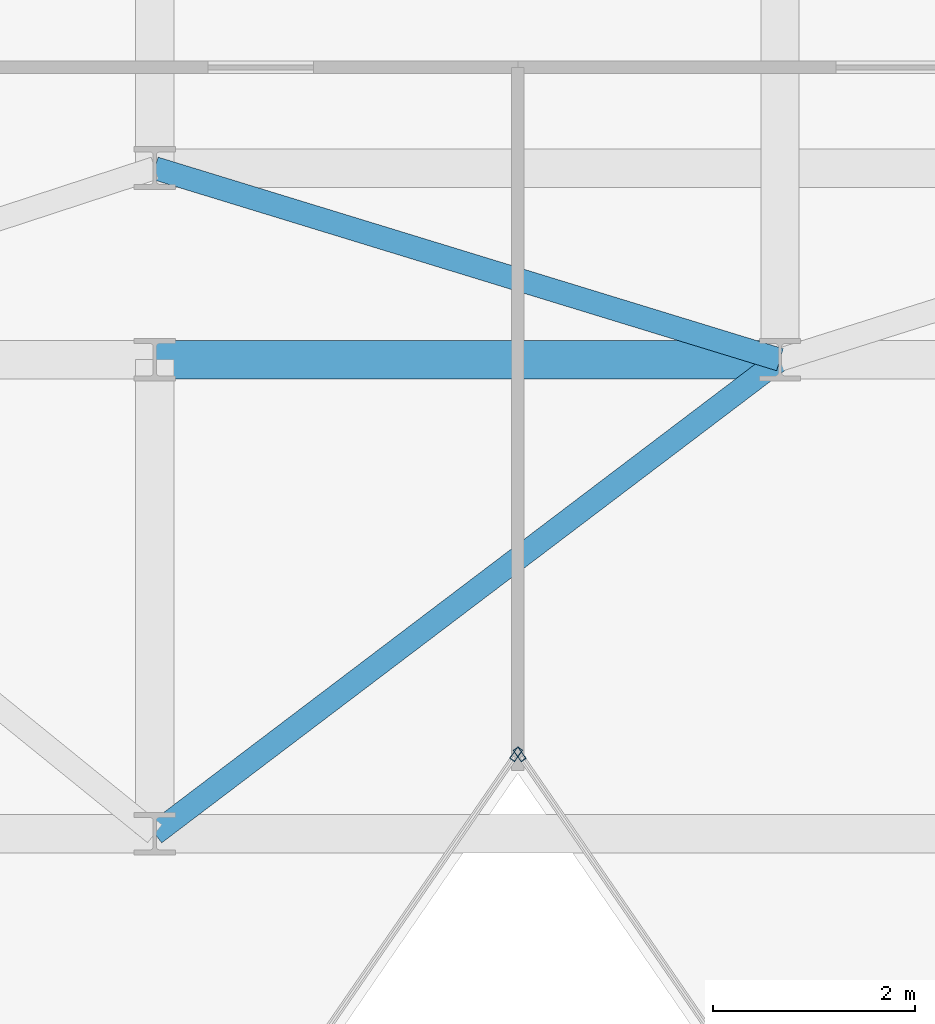
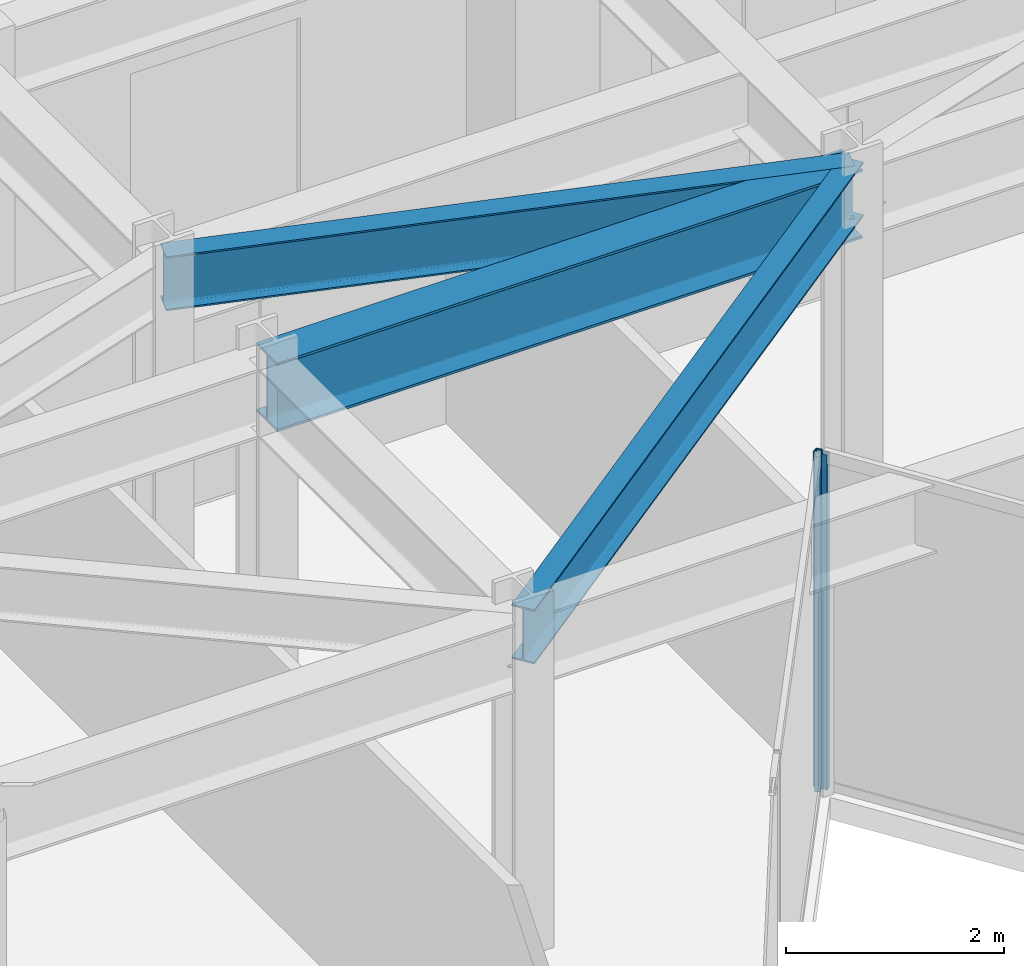
# One storey, part 8 of 21: 3 beams, 2 members, 2 elements without a shape of their own.
"""IFC4 building model written with IfcOpenShell, lengths in metres."""

from ifc_helpers import new_model, si_unit, direction, frame, origin, origin_2d, place, context, subcontext, project, spatial, hollow_rectangle, i_section, extrude, material, layer, layer_set, material_profile, profile_set, type_object, element, aggregate, save


model = new_model("IFC4")

# Units and contexts
model_context = context("Model", 3, precision=1e-05, world=origin(), true_north=direction((0.0, 1.0)))
body_context = subcontext(model_context, "Body", "Model", "MODEL_VIEW")
ifc_project = project(units=[si_unit("LENGTHUNIT", "METRE"), si_unit("AREAUNIT", "SQUARE_METRE"), si_unit("VOLUMEUNIT", "CUBIC_METRE"), si_unit("PLANEANGLEUNIT", "RADIAN"), si_unit("MASSUNIT", "GRAM", prefix="KILO")], contexts=[model_context])

# Site, building, storey
site_placement = place(None, origin())
site = spatial("IfcSite", under=ifc_project, at=site_placement, CompositionType="ELEMENT")
building_placement = place(site_placement, origin())
building = spatial("IfcBuilding", under=site, at=building_placement, Name="Kravanh Interchange Tower", CompositionType="ELEMENT")
storey_placement = place(building_placement, frame((0.0, 0.0, 192.5)))
storey = spatial("IfcBuildingStorey", under=building, at=storey_placement, Name="L46", CompositionType="ELEMENT", Elevation=192.5)

# Curtain wall, member
ifc_material_1 = material(Name="Anodised Bronze Aluminium", Category="aluminium")
ifc_layer = layer(ifc_material_1, 0.179931640625)
ifc_layer_set = layer_set([ifc_layer], Name="Unitised Curtain Wall System CW-Z3 Upper Office")
curtain_wall_type = type_object("IfcCurtainWallType", Name="Unitised Curtain Wall System CW-Z3 Upper Office", PredefinedType="NOTDEFINED", material=ifc_layer_set)
curtain_wall_1_placement = place(storey_placement, origin())
curtain_wall_1 = element("IfcCurtainWall", 1, at=curtain_wall_1_placement, inside=storey, type_object=curtain_wall_type, Name="L46 Unitised Curtain Wall CW-L46-03", PredefinedType="NOTDEFINED")
ifc_material_2 = material(Name="Anodised Bronze Aluminium", Category="aluminium")
ifc_material_profile_1 = material_profile(ifc_material_2, hollow_rectangle(XDim=0.06005859375, YDim=0.139892578125, WallThickness=0.00390625, at=origin_2d()), Name="ALU60X140X4")
ifc_profile_set_1 = profile_set([ifc_material_profile_1], Name="Anodised Bronze Aluminium")
member_type = type_object("IfcMemberType", Name="Curtain Wall Mullion ALU60X140X4 Bronze", PredefinedType="MULLION", material=ifc_profile_set_1)
member_1_placement = place(storey_placement, frame((42.217041015625, 27.587158203125, 0.0), z_axis=(0.0, 0.0, 1.0), x_axis=(-0.824042223035, -0.566528388217, 0.0)))
member_1 = element("IfcMember", 2, at=member_1_placement, type_object=member_type, Name="CW-Z3 mullion 5", PredefinedType="MULLION", context=body_context, shape_type="SweptSolid", body=[
    extrude(hollow_rectangle(XDim=0.06005859375, YDim=0.139892578125, WallThickness=0.00390625, at=origin_2d()), origin(), (0.0, 0.0, 1.0), 3.7548828125),
])
aggregate(curtain_wall_1, [member_1])

curtain_wall_2_placement = place(storey_placement, origin())
curtain_wall_2 = element("IfcCurtainWall", 3, at=curtain_wall_2_placement, inside=storey, type_object=curtain_wall_type, Name="L46 Unitised Curtain Wall CW-L46-04", PredefinedType="NOTDEFINED")
member_2_placement = place(storey_placement, frame((42.18310546875, 27.587158203125, 0.0), z_axis=(0.0, 0.0, 1.0), x_axis=(0.824042223035, -0.566528388217, 0.0)))
member_2 = element("IfcMember", 4, at=member_2_placement, type_object=member_type, Name="CW-Z3 mullion 1", PredefinedType="MULLION", context=body_context, shape_type="SweptSolid", body=[
    extrude(hollow_rectangle(XDim=0.06005859375, YDim=0.139892578125, WallThickness=0.00390625, at=origin_2d()), origin(), (0.0, 0.0, 1.0), 3.7548828125),
])
aggregate(curtain_wall_2, [member_2])

# Beams
ifc_material_3 = material(Name="Structural Steel S355", Category="steel")
ifc_material_profile_2 = material_profile(ifc_material_3, i_section(OverallWidth=0.381103515625, OverallDepth=0.77294921875, WebThickness=0.0166015625, FlangeThickness=0.027099609375, FilletRadius=0.02490234375, at=origin_2d()), Name="W30X173")
ifc_profile_set_2 = profile_set([ifc_material_profile_2], Name="Structural Steel S355")
beam_type_1 = type_object("IfcBeamType", Name="Floor Beam W30X173 Structural Steel S355", PredefinedType="BEAM", material=ifc_profile_set_2)
beam_1_placement = place(storey_placement, frame((38.60009765625, 31.5, 3.368408203125), z_axis=(1.0, 0.0, 0.0), x_axis=(0.0, 1.0, 0.0)))
element("IfcBeam", 5, at=beam_1_placement, inside=storey, type_object=beam_type_1, Name="L46 Primary Floor Girder 72", PredefinedType="BEAM", context=body_context, shape_type="SweptSolid", body=[
    extrude(i_section(OverallWidth=0.381103515625, OverallDepth=0.77294921875, WebThickness=0.0166015625, FlangeThickness=0.027099609375, FilletRadius=0.02490234375, at=origin_2d()), origin(), (0.0, 0.0, 1.0), 6.199951171875),
])
ifc_material_4 = material(Name="Structural Steel S355", Category="steel")
ifc_material_profile_3 = material_profile(ifc_material_4, i_section(OverallWidth=0.22802734375, OverallDepth=0.60791015625, WebThickness=0.01123046875, FlangeThickness=0.017333984375, FilletRadius=0.02197265625, at=origin_2d()), Name="W24X76")
ifc_profile_set_3 = profile_set([ifc_material_profile_3], Name="Structural Steel S355")
beam_type_2 = type_object("IfcBeamType", Name="Floor Spandrel W24X76 Structural Steel S355", PredefinedType="SPANDREL", material=ifc_profile_set_3)
beam_2_placement = place(storey_placement, frame((38.60009765625, 26.800048828125, 3.450927734375), z_axis=(0.796905365509, 0.604104161898, 0.0), x_axis=(-0.604104161898, 0.796905365509, 0.0)))
element("IfcBeam", 6, at=beam_2_placement, inside=storey, type_object=beam_type_2, Name="L46 Perimeter Spandrel 47", PredefinedType="SPANDREL", context=body_context, shape_type="SweptSolid", body=[
    extrude(i_section(OverallWidth=0.22802734375, OverallDepth=0.60791015625, WebThickness=0.01123046875, FlangeThickness=0.017333984375, FilletRadius=0.02197265625, at=origin_2d()), origin(), (0.0, 0.0, 1.0), 7.780029296875),
])
beam_3_placement = place(storey_placement, frame((44.800048828125, 31.5, 3.450927734375), z_axis=(-0.956115397264, 0.292990353279, 0.0), x_axis=(-0.292990353279, -0.956115397264, 0.0)))
element("IfcBeam", 7, at=beam_3_placement, inside=storey, type_object=beam_type_2, Name="L46 Perimeter Spandrel 76", PredefinedType="SPANDREL", context=body_context, shape_type="SweptSolid", body=[
    extrude(i_section(OverallWidth=0.22802734375, OverallDepth=0.60791015625, WebThickness=0.01123046875, FlangeThickness=0.017333984375, FilletRadius=0.02197265625, at=origin_2d()), origin(), (0.0, 0.0, 1.0), 6.484619140625),
])

save(model, "model.ifc")
